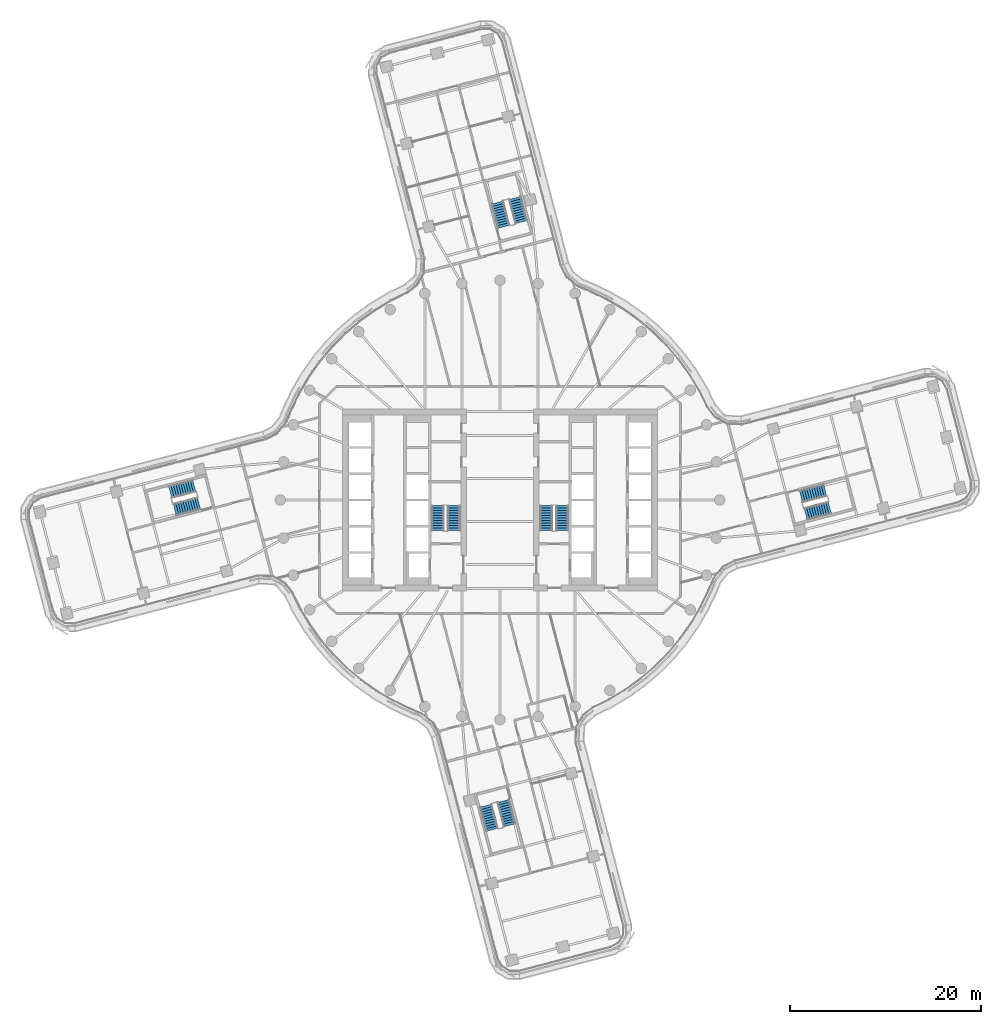
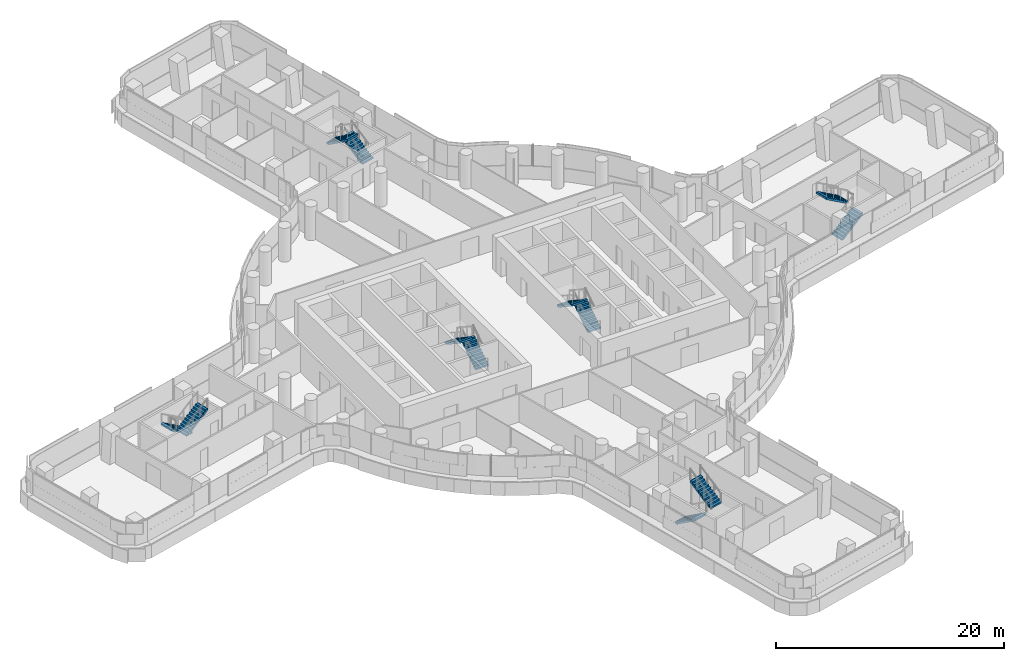
# One storey, part 23 of 30: 12 stair flights, 6 elements without a shape of their own.
"""IFC4 building model written with IfcOpenShell, lengths in metres."""

from ifc_helpers import new_model, si_unit, direction, frame, origin, place, context, subcontext, project, spatial, polyline, outline, extrude, material, type_object, element, aggregate, save


model = new_model("IFC4")

# Units and contexts
model_context = context("Model", 3, precision=1e-05, world=origin(), true_north=direction((0.0, 1.0)))
body_context = subcontext(model_context, "Body", "Model", "MODEL_VIEW")
ifc_project = project(units=[si_unit("LENGTHUNIT", "METRE"), si_unit("AREAUNIT", "SQUARE_METRE"), si_unit("VOLUMEUNIT", "CUBIC_METRE"), si_unit("PLANEANGLEUNIT", "RADIAN"), si_unit("MASSUNIT", "GRAM", prefix="KILO")], contexts=[model_context])

# Site, building, storey
site_placement = place(None, origin())
site = spatial("IfcSite", under=ifc_project, at=site_placement, CompositionType="ELEMENT")
building_placement = place(site_placement, origin())
building = spatial("IfcBuilding", under=site, at=building_placement, Name="Tamarind Cross Interchange Tower", CompositionType="ELEMENT")
storey_placement = place(building_placement, frame((0.0, 0.0, 87.25)))
storey = spatial("IfcBuildingStorey", under=building, at=storey_placement, Name="L20", CompositionType="ELEMENT", Elevation=87.25)

# Stair, stair flights
ifc_material_1 = material(Name="Exit stair")
stair_type = type_object("IfcStairType", Name="Exit stair", PredefinedType="HALF_TURN_STAIR", material=ifc_material_1)
stair_1_placement = place(storey_placement, origin())
stair_1 = element("IfcStair", 1, at=stair_1_placement, inside=storey, type_object=stair_type, Name="L20 exit stair ST1", PredefinedType="HALF_TURN_STAIR")
ifc_material_2 = material(Name="Exit stair flight")
stair_flight_type = type_object("IfcStairFlightType", Name="Exit stair flight", PredefinedType="STRAIGHT", material=ifc_material_2)
stair_flight_1_placement = place(storey_placement, frame((-4.85009765625, -3.199951171875, 0.0), z_axis=(0.0, 0.0, 1.0), x_axis=(0.0, 1.0, 0.0)))
stair_flight_1 = element("IfcStairFlight", 2, at=stair_flight_1_placement, type_object=stair_flight_type, Name="ST1 flight 1", NumberOfRisers=11, NumberOfTreads=10, PredefinedType="STRAIGHT", RiserHeight=0.170454545, TreadLength=0.26, context=body_context, shape_type="SweptSolid", body=[
    extrude(outline(polyline([(0.0, 0.0), (0.0, 0.17041015625), (0.260009765625, 0.17041015625), (0.260009765625, 0.3408203125), (0.52001953125, 0.3408203125), (0.52001953125, 0.511474609375), (0.780029296875, 0.511474609375), (0.780029296875, 0.681884765625), (1.0400390625, 0.681884765625), (1.0400390625, 0.852294921875), (1.300048828125, 0.852294921875), (1.300048828125, 1.022705078125), (1.56005859375, 1.022705078125), (1.56005859375, 1.193115234375), (1.820068359375, 1.193115234375), (1.820068359375, 1.363525390625), (2.080078125, 1.363525390625), (2.080078125, 1.5341796875), (2.340087890625, 1.5341796875), (2.340087890625, 1.70458984375), (2.60009765625, 1.70458984375), (2.60009765625, 1.875), (2.60009765625, 1.525390625), (0.2734375, 0.0), (0.0, 0.0)])), frame((0.0, 0.64990234375, 0.0), z_axis=(0.0, -1.0, 0.0), x_axis=(1.0, 0.0, 0.0)), (0.0, 0.0, 1.0), 1.300048828125),
])
stair_flight_2_placement = place(storey_placement, frame((-6.5, -0.60009765625, 1.875), z_axis=(0.0, 0.0, 1.0), x_axis=(0.0, -1.0, 0.0)))
stair_flight_2 = element("IfcStairFlight", 3, at=stair_flight_2_placement, type_object=stair_flight_type, Name="ST1 flight 2", NumberOfRisers=11, NumberOfTreads=10, PredefinedType="STRAIGHT", RiserHeight=0.170454545, TreadLength=0.26, context=body_context, shape_type="SweptSolid", body=[
    extrude(outline(polyline([(0.0, 0.0), (0.0, 0.17041015625), (0.260009765625, 0.17041015625), (0.260009765625, 0.3408203125), (0.52001953125, 0.3408203125), (0.52001953125, 0.511474609375), (0.780029296875, 0.511474609375), (0.780029296875, 0.681884765625), (1.0400390625, 0.681884765625), (1.0400390625, 0.852294921875), (1.300048828125, 0.852294921875), (1.300048828125, 1.022705078125), (1.56005859375, 1.022705078125), (1.56005859375, 1.193115234375), (1.820068359375, 1.193115234375), (1.820068359375, 1.363525390625), (2.080078125, 1.363525390625), (2.080078125, 1.5341796875), (2.340087890625, 1.5341796875), (2.340087890625, 1.70458984375), (2.60009765625, 1.70458984375), (2.60009765625, 1.7548828125), (2.612060546875, 1.7548828125), (2.612060546875, 1.533203125), (0.2734375, 0.0), (0.0, 0.0)])), frame((0.0, 0.64990234375, 0.0), z_axis=(0.0, -1.0, 0.0), x_axis=(1.0, 0.0, 0.0)), (0.0, 0.0, 1.0), 1.300048828125),
])
aggregate(stair_1, [stair_flight_1, stair_flight_2])

stair_2_placement = place(storey_placement, origin())
stair_2 = element("IfcStair", 4, at=stair_2_placement, inside=storey, type_object=stair_type, Name="L20 exit stair ST2", PredefinedType="HALF_TURN_STAIR")
stair_flight_3_placement = place(storey_placement, frame((6.5, -3.199951171875, 0.0), z_axis=(0.0, 0.0, 1.0), x_axis=(0.0, 1.0, 0.0)))
stair_flight_3 = element("IfcStairFlight", 5, at=stair_flight_3_placement, type_object=stair_flight_type, Name="ST2 flight 1", NumberOfRisers=11, NumberOfTreads=10, PredefinedType="STRAIGHT", RiserHeight=0.170454545, TreadLength=0.26, context=body_context, shape_type="SweptSolid", body=[
    extrude(outline(polyline([(0.0, 0.0), (0.0, 0.17041015625), (0.260009765625, 0.17041015625), (0.260009765625, 0.3408203125), (0.52001953125, 0.3408203125), (0.52001953125, 0.511474609375), (0.780029296875, 0.511474609375), (0.780029296875, 0.681884765625), (1.0400390625, 0.681884765625), (1.0400390625, 0.852294921875), (1.300048828125, 0.852294921875), (1.300048828125, 1.022705078125), (1.56005859375, 1.022705078125), (1.56005859375, 1.193115234375), (1.820068359375, 1.193115234375), (1.820068359375, 1.363525390625), (2.080078125, 1.363525390625), (2.080078125, 1.5341796875), (2.340087890625, 1.5341796875), (2.340087890625, 1.70458984375), (2.60009765625, 1.70458984375), (2.60009765625, 1.875), (2.60009765625, 1.525390625), (0.2734375, 0.0), (0.0, 0.0)])), frame((0.0, 0.64990234375, 0.0), z_axis=(0.0, -1.0, 0.0), x_axis=(1.0, 0.0, 0.0)), (0.0, 0.0, 1.0), 1.300048828125),
])
stair_flight_4_placement = place(storey_placement, frame((4.85009765625, -0.60009765625, 1.875), z_axis=(0.0, 0.0, 1.0), x_axis=(0.0, -1.0, 0.0)))
stair_flight_4 = element("IfcStairFlight", 6, at=stair_flight_4_placement, type_object=stair_flight_type, Name="ST2 flight 2", NumberOfRisers=11, NumberOfTreads=10, PredefinedType="STRAIGHT", RiserHeight=0.170454545, TreadLength=0.26, context=body_context, shape_type="SweptSolid", body=[
    extrude(outline(polyline([(0.0, 0.0), (0.0, 0.17041015625), (0.260009765625, 0.17041015625), (0.260009765625, 0.3408203125), (0.52001953125, 0.3408203125), (0.52001953125, 0.511474609375), (0.780029296875, 0.511474609375), (0.780029296875, 0.681884765625), (1.0400390625, 0.681884765625), (1.0400390625, 0.852294921875), (1.300048828125, 0.852294921875), (1.300048828125, 1.022705078125), (1.56005859375, 1.022705078125), (1.56005859375, 1.193115234375), (1.820068359375, 1.193115234375), (1.820068359375, 1.363525390625), (2.080078125, 1.363525390625), (2.080078125, 1.5341796875), (2.340087890625, 1.5341796875), (2.340087890625, 1.70458984375), (2.60009765625, 1.70458984375), (2.60009765625, 1.7548828125), (2.612060546875, 1.7548828125), (2.612060546875, 1.533203125), (0.2734375, 0.0), (0.0, 0.0)])), frame((0.0, 0.64990234375, 0.0), z_axis=(0.0, -1.0, 0.0), x_axis=(1.0, 0.0, 0.0)), (0.0, 0.0, 1.0), 1.300048828125),
])
aggregate(stair_2, [stair_flight_3, stair_flight_4])

stair_3_placement = place(storey_placement, origin())
stair_3 = element("IfcStair", 7, at=stair_3_placement, inside=storey, type_object=stair_type, Name="L20 exit stair ST3", PredefinedType="HALF_TURN_STAIR")
stair_flight_5_placement = place(storey_placement, frame((31.99609375, -1.473388671875, 0.0), z_axis=(0.0, 0.0, 1.0), x_axis=(0.967589396666, 0.252528729967, 0.0)))
stair_flight_5 = element("IfcStairFlight", 8, at=stair_flight_5_placement, type_object=stair_flight_type, Name="ST3 flight 1", NumberOfRisers=11, NumberOfTreads=10, PredefinedType="STRAIGHT", RiserHeight=0.170454545, TreadLength=0.26, context=body_context, shape_type="SweptSolid", body=[
    extrude(outline(polyline([(0.0, 0.0), (0.0, 0.17041015625), (0.260009765625, 0.17041015625), (0.260009765625, 0.3408203125), (0.52001953125, 0.3408203125), (0.52001953125, 0.511474609375), (0.780029296875, 0.511474609375), (0.780029296875, 0.681884765625), (1.0400390625, 0.681884765625), (1.0400390625, 0.852294921875), (1.300048828125, 0.852294921875), (1.300048828125, 1.022705078125), (1.56005859375, 1.022705078125), (1.56005859375, 1.193115234375), (1.820068359375, 1.193115234375), (1.820068359375, 1.363525390625), (2.080078125, 1.363525390625), (2.080078125, 1.5341796875), (2.340087890625, 1.5341796875), (2.340087890625, 1.70458984375), (2.60009765625, 1.70458984375), (2.60009765625, 1.875), (2.60009765625, 1.525390625), (0.2734375, 0.0), (0.0, 0.0)])), frame((0.0, 0.64990234375, 0.0), z_axis=(0.0, -1.0, 0.0), x_axis=(1.0, 0.0, 0.0)), (0.0, 0.0, 1.0), 1.300048828125),
])
stair_flight_6_placement = place(storey_placement, frame((34.031982421875, 1.021484375, 1.875), z_axis=(0.0, 0.0, 1.0), x_axis=(-0.967589396666, -0.252528729967, 0.0)))
stair_flight_6 = element("IfcStairFlight", 9, at=stair_flight_6_placement, type_object=stair_flight_type, Name="ST3 flight 2", NumberOfRisers=11, NumberOfTreads=10, PredefinedType="STRAIGHT", RiserHeight=0.170454545, TreadLength=0.26, context=body_context, shape_type="SweptSolid", body=[
    extrude(outline(polyline([(0.0, 0.0), (0.0, 0.17041015625), (0.260009765625, 0.17041015625), (0.260009765625, 0.3408203125), (0.52001953125, 0.3408203125), (0.52001953125, 0.511474609375), (0.780029296875, 0.511474609375), (0.780029296875, 0.681884765625), (1.0400390625, 0.681884765625), (1.0400390625, 0.852294921875), (1.300048828125, 0.852294921875), (1.300048828125, 1.022705078125), (1.56005859375, 1.022705078125), (1.56005859375, 1.193115234375), (1.820068359375, 1.193115234375), (1.820068359375, 1.363525390625), (2.080078125, 1.363525390625), (2.080078125, 1.5341796875), (2.340087890625, 1.5341796875), (2.340087890625, 1.70458984375), (2.60009765625, 1.70458984375), (2.60009765625, 1.7548828125), (2.612060546875, 1.7548828125), (2.612060546875, 1.533203125), (0.2734375, 0.0), (0.0, 0.0)])), frame((0.0, 0.64990234375, 0.0), z_axis=(0.0, -1.0, 0.0), x_axis=(1.0, 0.0, 0.0)), (0.0, 0.0, 1.0), 1.300048828125),
])
aggregate(stair_3, [stair_flight_5, stair_flight_6])

stair_4_placement = place(storey_placement, origin())
stair_4 = element("IfcStair", 10, at=stair_4_placement, inside=storey, type_object=stair_type, Name="L20 exit stair ST4", PredefinedType="HALF_TURN_STAIR")
stair_flight_7_placement = place(storey_placement, frame((2.23095703125, 29.09326171875, 0.0), z_axis=(0.0, 0.0, 1.0), x_axis=(-0.252528729967, 0.967589396666, 0.0)))
stair_flight_7 = element("IfcStairFlight", 11, at=stair_flight_7_placement, type_object=stair_flight_type, Name="ST4 flight 1", NumberOfRisers=11, NumberOfTreads=10, PredefinedType="STRAIGHT", RiserHeight=0.170454545, TreadLength=0.26, context=body_context, shape_type="SweptSolid", body=[
    extrude(outline(polyline([(0.0, 0.0), (0.0, 0.17041015625), (0.260009765625, 0.17041015625), (0.260009765625, 0.3408203125), (0.52001953125, 0.3408203125), (0.52001953125, 0.511474609375), (0.780029296875, 0.511474609375), (0.780029296875, 0.681884765625), (1.0400390625, 0.681884765625), (1.0400390625, 0.852294921875), (1.300048828125, 0.852294921875), (1.300048828125, 1.022705078125), (1.56005859375, 1.022705078125), (1.56005859375, 1.193115234375), (1.820068359375, 1.193115234375), (1.820068359375, 1.363525390625), (2.080078125, 1.363525390625), (2.080078125, 1.5341796875), (2.340087890625, 1.5341796875), (2.340087890625, 1.70458984375), (2.60009765625, 1.70458984375), (2.60009765625, 1.875), (2.60009765625, 1.525390625), (0.2734375, 0.0), (0.0, 0.0)])), frame((0.0, 0.64990234375, 0.0), z_axis=(0.0, -1.0, 0.0), x_axis=(1.0, 0.0, 0.0)), (0.0, 0.0, 1.0), 1.300048828125),
])
stair_flight_8_placement = place(storey_placement, frame((-0.263916015625, 31.129150390625, 1.875), z_axis=(0.0, 0.0, 1.0), x_axis=(0.252528729967, -0.967589396666, 0.0)))
stair_flight_8 = element("IfcStairFlight", 12, at=stair_flight_8_placement, type_object=stair_flight_type, Name="ST4 flight 2", NumberOfRisers=11, NumberOfTreads=10, PredefinedType="STRAIGHT", RiserHeight=0.170454545, TreadLength=0.26, context=body_context, shape_type="SweptSolid", body=[
    extrude(outline(polyline([(0.0, 0.0), (0.0, 0.17041015625), (0.260009765625, 0.17041015625), (0.260009765625, 0.3408203125), (0.52001953125, 0.3408203125), (0.52001953125, 0.511474609375), (0.780029296875, 0.511474609375), (0.780029296875, 0.681884765625), (1.0400390625, 0.681884765625), (1.0400390625, 0.852294921875), (1.300048828125, 0.852294921875), (1.300048828125, 1.022705078125), (1.56005859375, 1.022705078125), (1.56005859375, 1.193115234375), (1.820068359375, 1.193115234375), (1.820068359375, 1.363525390625), (2.080078125, 1.363525390625), (2.080078125, 1.5341796875), (2.340087890625, 1.5341796875), (2.340087890625, 1.70458984375), (2.60009765625, 1.70458984375), (2.60009765625, 1.7548828125), (2.612060546875, 1.7548828125), (2.612060546875, 1.533203125), (0.2734375, 0.0), (0.0, 0.0)])), frame((0.0, 0.64990234375, 0.0), z_axis=(0.0, -1.0, 0.0), x_axis=(1.0, 0.0, 0.0)), (0.0, 0.0, 1.0), 1.300048828125),
])
aggregate(stair_4, [stair_flight_7, stair_flight_8])

stair_5_placement = place(storey_placement, origin())
stair_5 = element("IfcStair", 13, at=stair_5_placement, inside=storey, type_object=stair_type, Name="L20 exit stair ST5", PredefinedType="HALF_TURN_STAIR")
stair_flight_9_placement = place(storey_placement, frame((-31.99609375, 1.473388671875, 0.0), z_axis=(0.0, 0.0, 1.0), x_axis=(-0.967589396666, -0.252528729967, 0.0)))
stair_flight_9 = element("IfcStairFlight", 14, at=stair_flight_9_placement, type_object=stair_flight_type, Name="ST5 flight 1", NumberOfRisers=11, NumberOfTreads=10, PredefinedType="STRAIGHT", RiserHeight=0.170454545, TreadLength=0.26, context=body_context, shape_type="SweptSolid", body=[
    extrude(outline(polyline([(0.0, 0.0), (0.0, 0.17041015625), (0.260009765625, 0.17041015625), (0.260009765625, 0.3408203125), (0.52001953125, 0.3408203125), (0.52001953125, 0.511474609375), (0.780029296875, 0.511474609375), (0.780029296875, 0.681884765625), (1.0400390625, 0.681884765625), (1.0400390625, 0.852294921875), (1.300048828125, 0.852294921875), (1.300048828125, 1.022705078125), (1.56005859375, 1.022705078125), (1.56005859375, 1.193115234375), (1.820068359375, 1.193115234375), (1.820068359375, 1.363525390625), (2.080078125, 1.363525390625), (2.080078125, 1.5341796875), (2.340087890625, 1.5341796875), (2.340087890625, 1.70458984375), (2.60009765625, 1.70458984375), (2.60009765625, 1.875), (2.60009765625, 1.525390625), (0.2734375, 0.0), (0.0, 0.0)])), frame((0.0, 0.64990234375, 0.0), z_axis=(0.0, -1.0, 0.0), x_axis=(1.0, 0.0, 0.0)), (0.0, 0.0, 1.0), 1.300048828125),
])
stair_flight_10_placement = place(storey_placement, frame((-34.031982421875, -1.021484375, 1.875), z_axis=(0.0, 0.0, 1.0), x_axis=(0.967589396666, 0.252528729967, 0.0)))
stair_flight_10 = element("IfcStairFlight", 15, at=stair_flight_10_placement, type_object=stair_flight_type, Name="ST5 flight 2", NumberOfRisers=11, NumberOfTreads=10, PredefinedType="STRAIGHT", RiserHeight=0.170454545, TreadLength=0.26, context=body_context, shape_type="SweptSolid", body=[
    extrude(outline(polyline([(0.0, 0.0), (0.0, 0.17041015625), (0.260009765625, 0.17041015625), (0.260009765625, 0.3408203125), (0.52001953125, 0.3408203125), (0.52001953125, 0.511474609375), (0.780029296875, 0.511474609375), (0.780029296875, 0.681884765625), (1.0400390625, 0.681884765625), (1.0400390625, 0.852294921875), (1.300048828125, 0.852294921875), (1.300048828125, 1.022705078125), (1.56005859375, 1.022705078125), (1.56005859375, 1.193115234375), (1.820068359375, 1.193115234375), (1.820068359375, 1.363525390625), (2.080078125, 1.363525390625), (2.080078125, 1.5341796875), (2.340087890625, 1.5341796875), (2.340087890625, 1.70458984375), (2.60009765625, 1.70458984375), (2.60009765625, 1.7548828125), (2.612060546875, 1.7548828125), (2.612060546875, 1.533203125), (0.2734375, 0.0), (0.0, 0.0)])), frame((0.0, 0.64990234375, 0.0), z_axis=(0.0, -1.0, 0.0), x_axis=(1.0, 0.0, 0.0)), (0.0, 0.0, 1.0), 1.300048828125),
])
aggregate(stair_5, [stair_flight_9, stair_flight_10])

stair_6_placement = place(storey_placement, origin())
stair_6 = element("IfcStair", 16, at=stair_6_placement, inside=storey, type_object=stair_type, Name="L20 exit stair ST6", PredefinedType="HALF_TURN_STAIR")
stair_flight_11_placement = place(storey_placement, frame((-1.473388671875, -31.99609375, 0.0), z_axis=(0.0, 0.0, 1.0), x_axis=(0.252528729967, -0.967589396666, 0.0)))
stair_flight_11 = element("IfcStairFlight", 17, at=stair_flight_11_placement, type_object=stair_flight_type, Name="ST6 flight 1", NumberOfRisers=11, NumberOfTreads=10, PredefinedType="STRAIGHT", RiserHeight=0.170454545, TreadLength=0.26, context=body_context, shape_type="SweptSolid", body=[
    extrude(outline(polyline([(0.0, 0.0), (0.0, 0.17041015625), (0.260009765625, 0.17041015625), (0.260009765625, 0.3408203125), (0.52001953125, 0.3408203125), (0.52001953125, 0.511474609375), (0.780029296875, 0.511474609375), (0.780029296875, 0.681884765625), (1.0400390625, 0.681884765625), (1.0400390625, 0.852294921875), (1.300048828125, 0.852294921875), (1.300048828125, 1.022705078125), (1.56005859375, 1.022705078125), (1.56005859375, 1.193115234375), (1.820068359375, 1.193115234375), (1.820068359375, 1.363525390625), (2.080078125, 1.363525390625), (2.080078125, 1.5341796875), (2.340087890625, 1.5341796875), (2.340087890625, 1.70458984375), (2.60009765625, 1.70458984375), (2.60009765625, 1.875), (2.60009765625, 1.525390625), (0.2734375, 0.0), (0.0, 0.0)])), frame((0.0, 0.64990234375, 0.0), z_axis=(0.0, -1.0, 0.0), x_axis=(1.0, 0.0, 0.0)), (0.0, 0.0, 1.0), 1.300048828125),
])
stair_flight_12_placement = place(storey_placement, frame((1.021484375, -34.031982421875, 1.875), z_axis=(0.0, 0.0, 1.0), x_axis=(-0.252528729967, 0.967589396666, 0.0)))
stair_flight_12 = element("IfcStairFlight", 18, at=stair_flight_12_placement, type_object=stair_flight_type, Name="ST6 flight 2", NumberOfRisers=11, NumberOfTreads=10, PredefinedType="STRAIGHT", RiserHeight=0.170454545, TreadLength=0.26, context=body_context, shape_type="SweptSolid", body=[
    extrude(outline(polyline([(0.0, 0.0), (0.0, 0.17041015625), (0.260009765625, 0.17041015625), (0.260009765625, 0.3408203125), (0.52001953125, 0.3408203125), (0.52001953125, 0.511474609375), (0.780029296875, 0.511474609375), (0.780029296875, 0.681884765625), (1.0400390625, 0.681884765625), (1.0400390625, 0.852294921875), (1.300048828125, 0.852294921875), (1.300048828125, 1.022705078125), (1.56005859375, 1.022705078125), (1.56005859375, 1.193115234375), (1.820068359375, 1.193115234375), (1.820068359375, 1.363525390625), (2.080078125, 1.363525390625), (2.080078125, 1.5341796875), (2.340087890625, 1.5341796875), (2.340087890625, 1.70458984375), (2.60009765625, 1.70458984375), (2.60009765625, 1.7548828125), (2.612060546875, 1.7548828125), (2.612060546875, 1.533203125), (0.2734375, 0.0), (0.0, 0.0)])), frame((0.0, 0.64990234375, 0.0), z_axis=(0.0, -1.0, 0.0), x_axis=(1.0, 0.0, 0.0)), (0.0, 0.0, 1.0), 1.300048828125),
])
aggregate(stair_6, [stair_flight_11, stair_flight_12])

save(model, "model.ifc")
